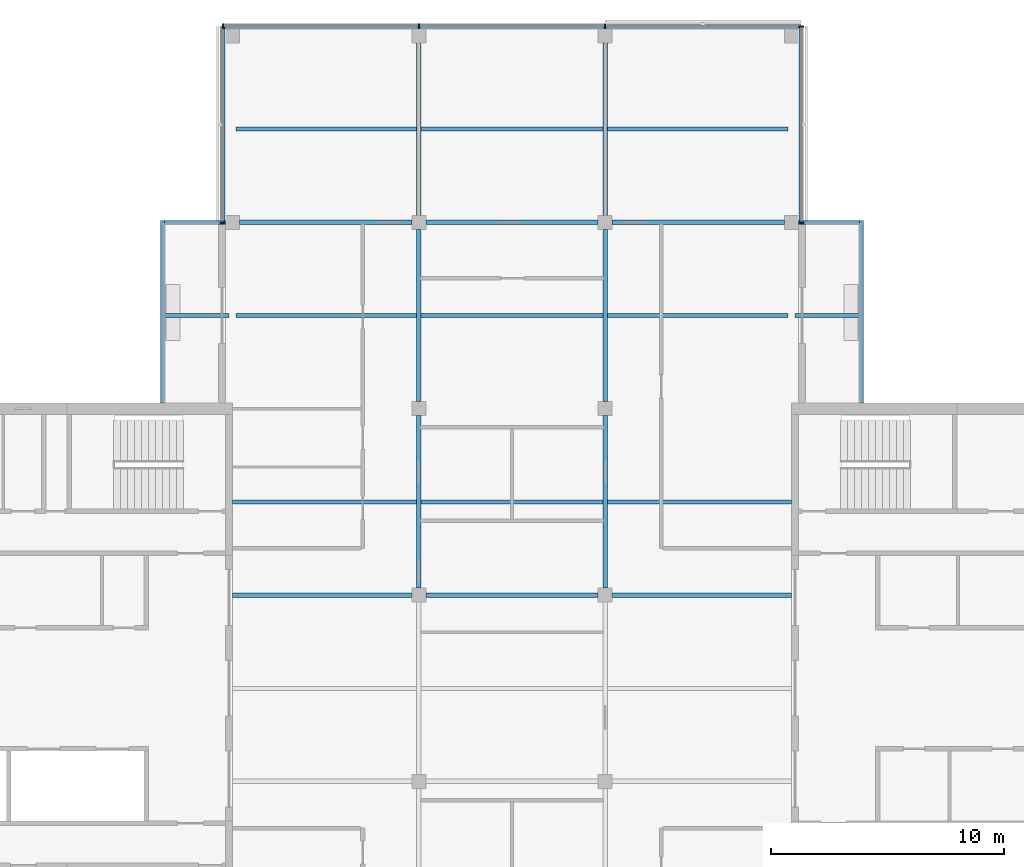
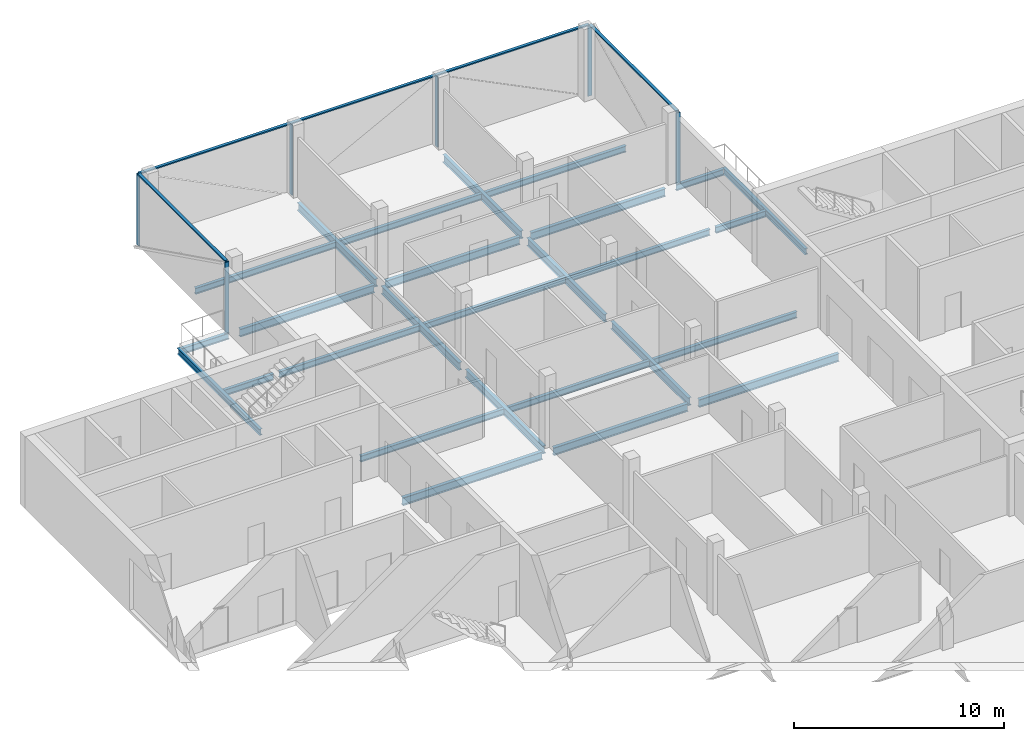
# One storey, part 3 of 12: 27 beams, 9 members, 3 elements without a shape of their own.
"""IFC4 building model written with IfcOpenShell, lengths in metres."""

from ifc_helpers import new_model, si_unit, direction, frame, origin, origin_2d, place, context, subcontext, project, spatial, rectangle, i_section, extrude, material, material_profile, profile_set, type_object, element, aggregate, save


model = new_model("IFC4")

# Units and contexts
model_context = context("Model", 3, precision=1e-05, world=origin(), true_north=direction((0.0, 1.0)))
body_context = subcontext(model_context, "Body", "Model", "MODEL_VIEW")
ifc_project = project(units=[si_unit("LENGTHUNIT", "METRE"), si_unit("AREAUNIT", "SQUARE_METRE"), si_unit("VOLUMEUNIT", "CUBIC_METRE"), si_unit("PLANEANGLEUNIT", "RADIAN"), si_unit("MASSUNIT", "GRAM", prefix="KILO")], contexts=[model_context])

# Site, building, storey
site_placement = place(None, origin())
site = spatial("IfcSite", under=ifc_project, at=site_placement, CompositionType="ELEMENT")
building_placement = place(site_placement, origin())
building = spatial("IfcBuilding", under=site, at=building_placement, Name="Crosswind Convention Tower", CompositionType="ELEMENT")
storey_placement = place(building_placement, frame((0.0, 0.0, 311.300048828125)))
storey = spatial("IfcBuildingStorey", under=building, at=storey_placement, Name="L67", CompositionType="ELEMENT", Elevation=311.300048828125)

# Beams
ifc_material_1 = material(Name="Steel S355", Category="steel")
ifc_material_profile_1 = material_profile(ifc_material_1, i_section(OverallWidth=0.172119140625, OverallDepth=0.358642578125, WebThickness=0.008056640625, FlangeThickness=0.012939453125, FilletRadius=0.01025390625, at=origin_2d()), Name="UB 356x171x57")
ifc_profile_set_1 = profile_set([ifc_material_profile_1], Name="Steel S355")
beam_type_1 = type_object("IfcBeamType", Name="Balcony cantilever UB 356x171x57", PredefinedType="BEAM", material=ifc_profile_set_1)
beam_1_placement = place(storey_placement, frame((137.1552734375, 116.0, -0.479248046875), z_axis=(1.0, 0.0, 0.0), x_axis=(0.0, 1.0, 0.0)))
element("IfcBeam", 1, at=beam_1_placement, inside=storey, type_object=beam_type_1, Name="B34 L67 balcony cantilever NE 1", PredefinedType="BEAM", context=body_context, shape_type="SweptSolid", body=[
    extrude(i_section(OverallWidth=0.172119140625, OverallDepth=0.358642578125, WebThickness=0.008056640625, FlangeThickness=0.012939453125, FilletRadius=0.01025390625, at=origin_2d()), origin(), (0.0, 0.0, 1.0), 2.759033203125),
])
beam_2_placement = place(storey_placement, frame((137.300048828125, 120.0, -0.479248046875), z_axis=(1.0, 0.0, 0.0), x_axis=(0.0, 1.0, 0.0)))
element("IfcBeam", 2, at=beam_2_placement, inside=storey, type_object=beam_type_1, Name="B34 L67 balcony cantilever NE 2", PredefinedType="BEAM", context=body_context, shape_type="SweptSolid", body=[
    extrude(i_section(OverallWidth=0.172119140625, OverallDepth=0.358642578125, WebThickness=0.008056640625, FlangeThickness=0.012939453125, FilletRadius=0.01025390625, at=origin_2d()), origin(), (0.0, 0.0, 1.0), 2.6142578125),
])
beam_3_placement = place(storey_placement, frame((112.8447265625, 116.0, -0.479248046875), z_axis=(-1.0, 0.0, 0.0), x_axis=(0.0, -1.0, 0.0)))
element("IfcBeam", 3, at=beam_3_placement, inside=storey, type_object=beam_type_1, Name="B34 L67 balcony cantilever NW 4", PredefinedType="BEAM", context=body_context, shape_type="SweptSolid", body=[
    extrude(i_section(OverallWidth=0.172119140625, OverallDepth=0.358642578125, WebThickness=0.008056640625, FlangeThickness=0.012939453125, FilletRadius=0.01025390625, at=origin_2d()), origin(), (0.0, 0.0, 1.0), 2.759033203125),
])
beam_4_placement = place(storey_placement, frame((112.699951171875, 120.0, -0.479248046875), z_axis=(-1.0, 0.0, 0.0), x_axis=(0.0, -1.0, 0.0)))
element("IfcBeam", 4, at=beam_4_placement, inside=storey, type_object=beam_type_1, Name="B34 L67 balcony cantilever NW 5", PredefinedType="BEAM", context=body_context, shape_type="SweptSolid", body=[
    extrude(i_section(OverallWidth=0.172119140625, OverallDepth=0.358642578125, WebThickness=0.008056640625, FlangeThickness=0.012939453125, FilletRadius=0.01025390625, at=origin_2d()), origin(), (0.0, 0.0, 1.0), 2.6142578125),
])
ifc_material_profile_2 = material_profile(ifc_material_1, i_section(OverallWidth=0.17138671875, OverallDepth=0.355712890625, WebThickness=0.00732421875, FlangeThickness=0.011474609375, FilletRadius=0.01025390625, at=origin_2d()), Name="UB 356x171x51")
ifc_profile_set_2 = profile_set([ifc_material_profile_2], Name="Steel S355")
beam_type_2 = type_object("IfcBeamType", Name="Balcony edge beam UB 356x171x51", PredefinedType="BEAM", material=ifc_profile_set_2)
for number, where, z_axis, x_axis, name in (
    (5, (140.0, 112.25, -0.477783203125), (0.0, 1.0, 0.0), (-1.0, 0.0, 0.0), "B38 L67 balcony edge beam NE 3"),
    (6, (110.0, 112.25, -0.477783203125), (0.0, 1.0, 0.0), (-1.0, 0.0, 0.0), "B38 L67 balcony edge beam NW 6"),
):
    element("IfcBeam", number, at=place(storey_placement, frame(where, z_axis=z_axis, x_axis=x_axis)), inside=storey, type_object=beam_type_2, Name=name, PredefinedType="BEAM", context=body_context, shape_type="SweptSolid", body=[
        extrude(i_section(OverallWidth=0.17138671875, OverallDepth=0.355712890625, WebThickness=0.00732421875, FlangeThickness=0.011474609375, FilletRadius=0.01025390625, at=origin_2d()), origin(), (0.0, 0.0, 1.0), 7.8359375),
    ])
ifc_material_profile_3 = material_profile(ifc_material_1, i_section(OverallWidth=0.18994140625, OverallDepth=0.45361328125, WebThickness=0.008544921875, FlangeThickness=0.0126953125, FilletRadius=0.01025390625, at=origin_2d()), Name="UB 457x191x67")
ifc_profile_set_3 = profile_set([ifc_material_profile_3], Name="Steel S355")
beam_type_3 = type_object("IfcBeamType", Name="Girder UB 457x191x67", PredefinedType="BEAM", material=ifc_profile_set_3)
for number, where, z_axis, x_axis, name in (
    (7, (113.300048828125, 120.0, -0.52685546875), (1.0, 0.0, 0.0), (0.0, 1.0, 0.0), "B1 L67 girder 2"),
    (8, (121.0, 104.300048828125, -0.52685546875), (0.0, 1.0, 0.0), (-1.0, 0.0, 0.0), "B1 L67 girder 7"),
    (9, (121.0, 112.300048828125, -0.52685546875), (0.0, 1.0, 0.0), (-1.0, 0.0, 0.0), "B1 L67 girder 8"),
    (10, (121.0, 120.300048828125, -0.52685546875), (0.0, 1.0, 0.0), (-1.0, 0.0, 0.0), "B1 L67 girder 9"),
    (11, (121.300048828125, 104.0, -0.52685546875), (1.0, 0.0, 0.0), (0.0, 1.0, 0.0), "B1 L67 girder 12"),
    (12, (121.300048828125, 120.0, -0.52685546875), (1.0, 0.0, 0.0), (0.0, 1.0, 0.0), "B1 L67 girder 13"),
    (13, (129.0, 104.300048828125, -0.52685546875), (0.0, 1.0, 0.0), (-1.0, 0.0, 0.0), "B1 L67 girder 18"),
    (14, (129.0, 112.300048828125, -0.52685546875), (0.0, 1.0, 0.0), (-1.0, 0.0, 0.0), "B1 L67 girder 19"),
    (15, (129.0, 120.300048828125, -0.52685546875), (0.0, 1.0, 0.0), (-1.0, 0.0, 0.0), "B1 L67 girder 20"),
    (16, (129.300048828125, 120.0, -0.52685546875), (1.0, 0.0, 0.0), (0.0, 1.0, 0.0), "B1 L67 girder 22"),
):
    element("IfcBeam", number, at=place(storey_placement, frame(where, z_axis=z_axis, x_axis=x_axis)), inside=storey, type_object=beam_type_3, Name=name, PredefinedType="BEAM", context=body_context, shape_type="SweptSolid", body=[
        extrude(i_section(OverallWidth=0.18994140625, OverallDepth=0.45361328125, WebThickness=0.008544921875, FlangeThickness=0.0126953125, FilletRadius=0.01025390625, at=origin_2d()), origin(), (0.0, 0.0, 1.0), 7.39990234375),
    ])
ifc_material_profile_4 = material_profile(ifc_material_1, i_section(OverallWidth=0.1904296875, OverallDepth=0.457275390625, WebThickness=0.009033203125, FlangeThickness=0.014404296875, FilletRadius=0.01025390625, at=origin_2d()), Name="UB 457x191x75")
ifc_profile_set_4 = profile_set([ifc_material_profile_4], Name="Steel S355")
beam_type_4 = type_object("IfcBeamType", Name="Girder at core wall UB 457x191x75", PredefinedType="BEAM", material=ifc_profile_set_4)
for number, where, z_axis, x_axis, name in (
    (17, (113.0, 104.0, -0.528564453125), (1.0, 0.0, 0.0), (0.0, 1.0, 0.0), "B22 L67 girder at core wall 2"),
    (18, (129.300048828125, 104.0, -0.528564453125), (1.0, 0.0, 0.0), (0.0, 1.0, 0.0), "B22 L67 girder at core wall 4"),
):
    element("IfcBeam", number, at=place(storey_placement, frame(where, z_axis=z_axis, x_axis=x_axis)), inside=storey, type_object=beam_type_4, Name=name, PredefinedType="BEAM", context=body_context, shape_type="SweptSolid", body=[
        extrude(i_section(OverallWidth=0.1904296875, OverallDepth=0.457275390625, WebThickness=0.009033203125, FlangeThickness=0.014404296875, FilletRadius=0.01025390625, at=origin_2d()), origin(), (0.0, 0.0, 1.0), 7.699951171875),
    ])

# Curtain wall, members
ifc_material_2 = material(Name="Aluminium unitised curtain wall", Category="aluminium")
curtain_wall_type = type_object("IfcCurtainWallType", Name="OFFICE UNITISED WALL 220", PredefinedType="USERDEFINED", material=ifc_material_2)
curtain_wall_1_placement = place(storey_placement, origin())
curtain_wall_1 = element("IfcCurtainWall", 19, at=curtain_wall_1_placement, inside=storey, type_object=curtain_wall_type, Name="CW3 L67 N-E 1", ObjectType="UNITISED", PredefinedType="USERDEFINED")
ifc_material_3 = material(Name="Aluminium mullion", Category="aluminium")
ifc_material_profile_5 = material_profile(ifc_material_3, rectangle(XDim=0.219970703125, YDim=0.070068359375, at=origin_2d()), Name="AL 220X70")
ifc_profile_set_5 = profile_set([ifc_material_profile_5], Name="Aluminium mullion")
member_type_1 = type_object("IfcMemberType", Name="MULLION 70X220", PredefinedType="MULLION", material=ifc_profile_set_5)
member_1_placement = place(storey_placement, frame((137.409912109375, 120.0, -0.300048828125), z_axis=(0.0, 0.0, 1.0), x_axis=(1.0, 0.0, 0.0)))
member_1 = element("IfcMember", 20, at=member_1_placement, type_object=member_type_1, Name="CW3 mullion 1", PredefinedType="MULLION", context=body_context, shape_type="SweptSolid", body=[
    extrude(rectangle(XDim=0.219970703125, YDim=0.070068359375, at=origin_2d()), origin(), (0.0, 0.0, 1.0), 4.1298828125),
])
member_2_placement = place(storey_placement, frame((137.409912109375, 128.409912109375, -0.300048828125), z_axis=(0.0, 0.0, 1.0), x_axis=(1.0, 0.0, 0.0)))
member_2 = element("IfcMember", 21, at=member_2_placement, type_object=member_type_1, Name="CW3 mullion 2", PredefinedType="MULLION", context=body_context, shape_type="SweptSolid", body=[
    extrude(rectangle(XDim=0.219970703125, YDim=0.070068359375, at=origin_2d()), origin(), (0.0, 0.0, 1.0), 4.1298828125),
])

curtain_wall_2_placement = place(storey_placement, origin())
curtain_wall_2 = element("IfcCurtainWall", 22, at=curtain_wall_2_placement, inside=storey, type_object=curtain_wall_type, Name="CW3 L67 N-TIP 1", ObjectType="UNITISED", PredefinedType="USERDEFINED")
member_3_placement = place(storey_placement, frame((129.0, 128.409912109375, -0.300048828125), z_axis=(0.0, 0.0, 1.0), x_axis=(0.0, 1.0, 0.0)))
member_3 = element("IfcMember", 23, at=member_3_placement, type_object=member_type_1, Name="CW3 mullion 2", PredefinedType="MULLION", context=body_context, shape_type="SweptSolid", body=[
    extrude(rectangle(XDim=0.219970703125, YDim=0.070068359375, at=origin_2d()), origin(), (0.0, 0.0, 1.0), 4.1298828125),
])
member_4_placement = place(storey_placement, frame((121.0, 128.409912109375, -0.300048828125), z_axis=(0.0, 0.0, 1.0), x_axis=(0.0, 1.0, 0.0)))
member_4 = element("IfcMember", 24, at=member_4_placement, type_object=member_type_1, Name="CW3 mullion 3", PredefinedType="MULLION", context=body_context, shape_type="SweptSolid", body=[
    extrude(rectangle(XDim=0.219970703125, YDim=0.070068359375, at=origin_2d()), origin(), (0.0, 0.0, 1.0), 4.1298828125),
])
member_5_placement = place(storey_placement, frame((112.590087890625, 128.409912109375, -0.300048828125), z_axis=(0.0, 0.0, 1.0), x_axis=(0.0, 1.0, 0.0)))
member_5 = element("IfcMember", 25, at=member_5_placement, type_object=member_type_1, Name="CW3 mullion 4", PredefinedType="MULLION", context=body_context, shape_type="SweptSolid", body=[
    extrude(rectangle(XDim=0.219970703125, YDim=0.070068359375, at=origin_2d()), origin(), (0.0, 0.0, 1.0), 4.1298828125),
])

# Curtain wall, member
curtain_wall_3_placement = place(storey_placement, origin())
curtain_wall_3 = element("IfcCurtainWall", 26, at=curtain_wall_3_placement, inside=storey, type_object=curtain_wall_type, Name="CW3 L67 N-W 1", ObjectType="UNITISED", PredefinedType="USERDEFINED")
member_6_placement = place(storey_placement, frame((112.590087890625, 120.0, -0.300048828125), z_axis=(0.0, 0.0, 1.0), x_axis=(-1.0, 0.0, 0.0)))
member_6 = element("IfcMember", 27, at=member_6_placement, type_object=member_type_1, Name="CW3 mullion 2", PredefinedType="MULLION", context=body_context, shape_type="SweptSolid", body=[
    extrude(rectangle(XDim=0.219970703125, YDim=0.070068359375, at=origin_2d()), origin(), (0.0, 0.0, 1.0), 4.1298828125),
])

# Beams
ifc_material_profile_6 = material_profile(ifc_material_1, i_section(OverallWidth=0.17138671875, OverallDepth=0.355712890625, WebThickness=0.00732421875, FlangeThickness=0.011474609375, FilletRadius=0.01025390625, at=origin_2d()), Name="UB 356x171x51")
ifc_profile_set_6 = profile_set([ifc_material_profile_6], Name="Steel S355")
beam_type_5 = type_object("IfcBeamType", Name="Secondary beam UB 356x171x51", PredefinedType="JOIST", material=ifc_profile_set_6)
beam_5_placement = place(storey_placement, frame((113.0, 108.0, -0.477783203125), z_axis=(1.0, 0.0, 0.0), x_axis=(0.0, 1.0, 0.0)))
element("IfcBeam", 28, at=beam_5_placement, inside=storey, type_object=beam_type_5, Name="B8 L67 secondary beam 3", PredefinedType="JOIST", context=body_context, shape_type="SweptSolid", body=[
    extrude(i_section(OverallWidth=0.17138671875, OverallDepth=0.355712890625, WebThickness=0.00732421875, FlangeThickness=0.011474609375, FilletRadius=0.01025390625, at=origin_2d()), origin(), (0.0, 0.0, 1.0), 7.905029296875),
])
for number, where, z_axis, x_axis, name in (
    (29, (113.1552734375, 116.0, -0.477783203125), (1.0, 0.0, 0.0), (0.0, 1.0, 0.0), "B8 L67 secondary beam 6"),
    (30, (113.1552734375, 124.0, -0.477783203125), (1.0, 0.0, 0.0), (0.0, 1.0, 0.0), "B8 L67 secondary beam 7"),
):
    element("IfcBeam", number, at=place(storey_placement, frame(where, z_axis=z_axis, x_axis=x_axis)), inside=storey, type_object=beam_type_5, Name=name, PredefinedType="JOIST", context=body_context, shape_type="SweptSolid", body=[
        extrude(i_section(OverallWidth=0.17138671875, OverallDepth=0.355712890625, WebThickness=0.00732421875, FlangeThickness=0.011474609375, FilletRadius=0.01025390625, at=origin_2d()), origin(), (0.0, 0.0, 1.0), 7.749755859375),
    ])
for number, where, z_axis, x_axis, name in (
    (31, (121.094970703125, 108.0, -0.477783203125), (1.0, 0.0, 0.0), (0.0, 1.0, 0.0), "B8 L67 secondary beam 12"),
    (32, (121.094970703125, 116.0, -0.477783203125), (1.0, 0.0, 0.0), (0.0, 1.0, 0.0), "B8 L67 secondary beam 13"),
    (33, (121.094970703125, 124.0, -0.477783203125), (1.0, 0.0, 0.0), (0.0, 1.0, 0.0), "B8 L67 secondary beam 14"),
):
    element("IfcBeam", number, at=place(storey_placement, frame(where, z_axis=z_axis, x_axis=x_axis)), inside=storey, type_object=beam_type_5, Name=name, PredefinedType="JOIST", context=body_context, shape_type="SweptSolid", body=[
        extrude(i_section(OverallWidth=0.17138671875, OverallDepth=0.355712890625, WebThickness=0.00732421875, FlangeThickness=0.011474609375, FilletRadius=0.01025390625, at=origin_2d()), origin(), (0.0, 0.0, 1.0), 7.81005859375),
    ])
beam_6_placement = place(storey_placement, frame((129.094970703125, 108.0, -0.477783203125), z_axis=(1.0, 0.0, 0.0), x_axis=(0.0, 1.0, 0.0)))
element("IfcBeam", 34, at=beam_6_placement, inside=storey, type_object=beam_type_5, Name="B8 L67 secondary beam 19", PredefinedType="JOIST", context=body_context, shape_type="SweptSolid", body=[
    extrude(i_section(OverallWidth=0.17138671875, OverallDepth=0.355712890625, WebThickness=0.00732421875, FlangeThickness=0.011474609375, FilletRadius=0.01025390625, at=origin_2d()), origin(), (0.0, 0.0, 1.0), 7.905029296875),
])
for number, where, z_axis, x_axis, name in (
    (35, (129.094970703125, 116.0, -0.477783203125), (1.0, 0.0, 0.0), (0.0, 1.0, 0.0), "B8 L67 secondary beam 20"),
    (36, (129.094970703125, 124.0, -0.477783203125), (1.0, 0.0, 0.0), (0.0, 1.0, 0.0), "B8 L67 secondary beam 21"),
):
    element("IfcBeam", number, at=place(storey_placement, frame(where, z_axis=z_axis, x_axis=x_axis)), inside=storey, type_object=beam_type_5, Name=name, PredefinedType="JOIST", context=body_context, shape_type="SweptSolid", body=[
        extrude(i_section(OverallWidth=0.17138671875, OverallDepth=0.355712890625, WebThickness=0.00732421875, FlangeThickness=0.011474609375, FilletRadius=0.01025390625, at=origin_2d()), origin(), (0.0, 0.0, 1.0), 7.749755859375),
    ])

# Member
ifc_material_4 = material(Name="Aluminium transom", Category="aluminium")
ifc_material_profile_7 = material_profile(ifc_material_4, rectangle(XDim=0.159912109375, YDim=0.070068359375, at=origin_2d()), Name="AL 160X70")
ifc_profile_set_7 = profile_set([ifc_material_profile_7], Name="Aluminium transom")
member_type_2 = type_object("IfcMemberType", Name="TRANSOM 70X160", PredefinedType="USERDEFINED", material=ifc_profile_set_7)
member_7_placement = place(storey_placement, frame((137.409912109375, 120.034912109375, 3.864990234375), z_axis=(0.0, 1.0, 0.0), x_axis=(-1.0, 0.0, 0.0)))
member_7 = element("IfcMember", 37, at=member_7_placement, type_object=member_type_2, Name="CW3 transom", ObjectType="TRANSOM", PredefinedType="USERDEFINED", context=body_context, shape_type="SweptSolid", body=[
    extrude(rectangle(XDim=0.159912109375, YDim=0.070068359375, at=origin_2d()), origin(), (0.0, 0.0, 1.0), 8.340087890625),
])

aggregate(curtain_wall_1, [member_1, member_2, member_7])

member_8_placement = place(storey_placement, frame((137.375, 128.409912109375, 3.864990234375), z_axis=(-1.0, 0.0, 0.0), x_axis=(0.0, -1.0, 0.0)))
member_8 = element("IfcMember", 38, at=member_8_placement, type_object=member_type_2, Name="CW3 transom", ObjectType="TRANSOM", PredefinedType="USERDEFINED", context=body_context, shape_type="SweptSolid", body=[
    extrude(rectangle(XDim=0.159912109375, YDim=0.070068359375, at=origin_2d()), origin(), (0.0, 0.0, 1.0), 24.75),
])

aggregate(curtain_wall_2, [member_3, member_4, member_5, member_8])

member_9_placement = place(storey_placement, frame((112.590087890625, 128.375, 3.864990234375), z_axis=(0.0, -1.0, 0.0), x_axis=(1.0, 0.0, 0.0)))
member_9 = element("IfcMember", 39, at=member_9_placement, type_object=member_type_2, Name="CW3 transom", ObjectType="TRANSOM", PredefinedType="USERDEFINED", context=body_context, shape_type="SweptSolid", body=[
    extrude(rectangle(XDim=0.159912109375, YDim=0.070068359375, at=origin_2d()), origin(), (0.0, 0.0, 1.0), 8.340087890625),
])

aggregate(curtain_wall_3, [member_6, member_9])

save(model, "model.ifc")
